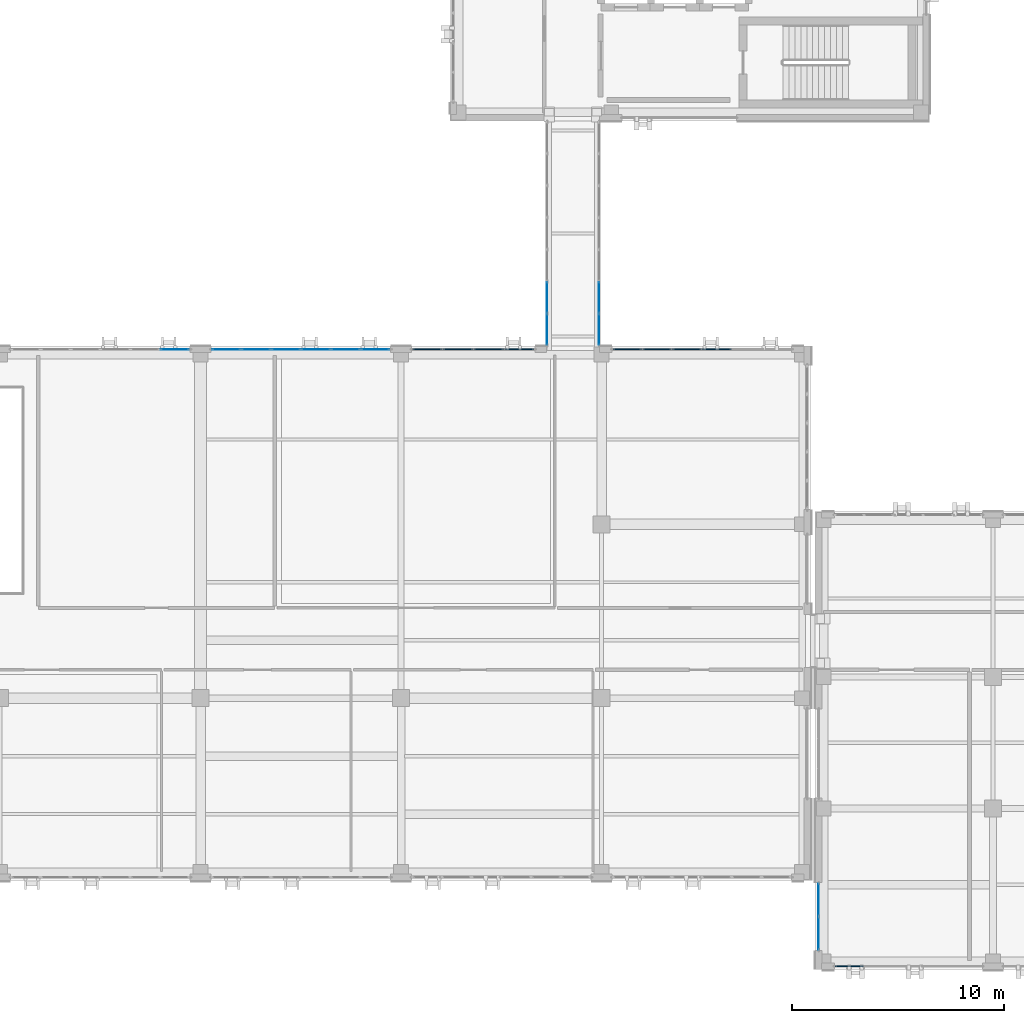
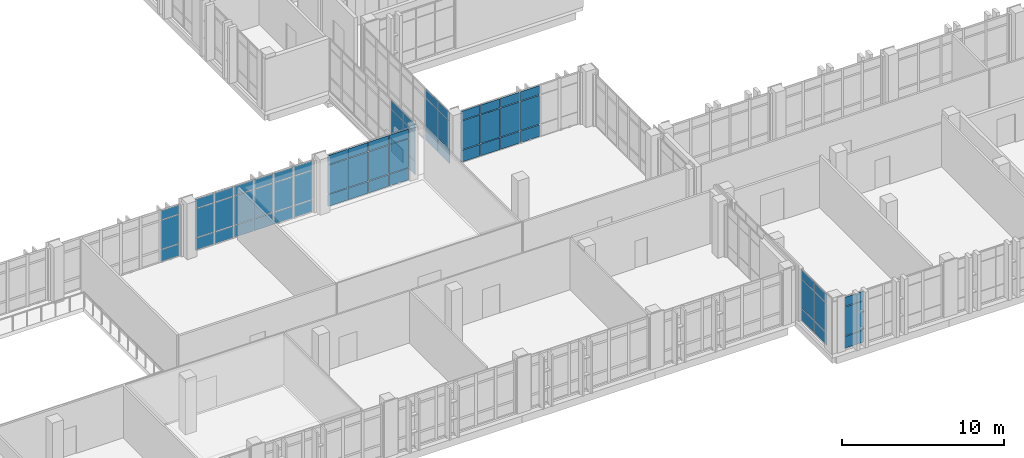
# One storey, part 137 of 193: 66 plates, 8 elements without a shape of their own.
"""IFC4 building model written with IfcOpenShell, lengths in metres."""

from ifc_helpers import new_model, si_unit, direction, frame, origin, origin_2d, place, context, subcontext, project, spatial, rectangle, extrude, material, layer, layer_set, type_object, element, aggregate, save


model = new_model("IFC4")

# Units and contexts
model_context = context("Model", 3, precision=1e-05, world=origin(), true_north=direction((0.0, 1.0)))
body_context = subcontext(model_context, "Body", "Model", "MODEL_VIEW")
ifc_project = project(units=[si_unit("LENGTHUNIT", "METRE"), si_unit("AREAUNIT", "SQUARE_METRE"), si_unit("VOLUMEUNIT", "CUBIC_METRE"), si_unit("PLANEANGLEUNIT", "RADIAN"), si_unit("MASSUNIT", "GRAM", prefix="KILO")], contexts=[model_context])

# Site, building, storey
site_placement = place(None, origin())
site = spatial("IfcSite", under=ifc_project, at=site_placement, CompositionType="ELEMENT")
building_placement = place(site_placement, origin())
building = spatial("IfcBuilding", under=site, at=building_placement, Name="Qalavern Law Courts", CompositionType="ELEMENT")
storey_placement = place(building_placement, frame((0.0, 0.0, 10.199951171875)))
storey = spatial("IfcBuildingStorey", under=building, at=storey_placement, Name="L02", CompositionType="ELEMENT", Elevation=10.199951171875)

# Curtain wall, plates
ifc_material_1 = material(Name="Anodised aluminium and insulated glazing", Category="aluminium")
ifc_layer_1 = layer(ifc_material_1, 0.18505859375)
ifc_layer_set_1 = layer_set([ifc_layer_1], Name="Anodised aluminium and insulated glazing")
curtain_wall_type_1 = type_object("IfcCurtainWallType", Name="ENV-CW-HALL", PredefinedType="USERDEFINED", material=ifc_layer_set_1)
curtain_wall_1_placement = place(storey_placement, origin())
curtain_wall_1 = element("IfcCurtainWall", 1, at=curtain_wall_1_placement, inside=storey, type_object=curtain_wall_type_1, Name="V2 unitised curtain wall L02 north 2", ObjectType="UNITISED CURTAIN WALL", PredefinedType="USERDEFINED")
ifc_material_2 = material(Name="Insulated low-E acoustic glazing", Category="glass")
ifc_layer_2 = layer(ifc_material_2, 0.02392578125)
ifc_layer_set_2 = layer_set([ifc_layer_2], Name="Insulated low-E acoustic glazing")
plate_type_1 = type_object("IfcPlateType", Name="ENV-CWP-24", PredefinedType="CURTAIN_PANEL", material=ifc_layer_set_2)
plate_1_placement = place(storey_placement, frame((80.6748046875, 30.2451171875, 0.048095703125), z_axis=(0.0, 0.0, 1.0), x_axis=(-1.0, 0.0, 0.0)))
plate_1 = element("IfcPlate", 2, at=plate_1_placement, type_object=plate_type_1, Name="CW-02 panel 1.1", PredefinedType="CURTAIN_PANEL", context=body_context, shape_type="SweptSolid", body=[
    extrude(rectangle(XDim=1.337158203125, YDim=0.02392578125, at=origin_2d()), origin(), (0.0, 0.0, 1.0), 0.8779296875),
])
plate_2_placement = place(storey_placement, frame((80.6748046875, 30.2451171875, 0.97412109375), z_axis=(0.0, 0.0, 1.0), x_axis=(-1.0, 0.0, 0.0)))
plate_2 = element("IfcPlate", 3, at=plate_2_placement, type_object=plate_type_1, Name="CW-02 panel 1.2", PredefinedType="CURTAIN_PANEL", context=body_context, shape_type="SweptSolid", body=[
    extrude(rectangle(XDim=1.337158203125, YDim=0.02392578125, at=origin_2d()), origin(), (0.0, 0.0, 1.0), 2.1669921875),
])
plate_3_placement = place(storey_placement, frame((80.6748046875, 30.2451171875, 3.18896484375), z_axis=(0.0, 0.0, 1.0), x_axis=(-1.0, 0.0, 0.0)))
plate_3 = element("IfcPlate", 4, at=plate_3_placement, type_object=plate_type_1, Name="CW-02 panel 1.3", PredefinedType="CURTAIN_PANEL", context=body_context, shape_type="SweptSolid", body=[
    extrude(rectangle(XDim=1.337158203125, YDim=0.02392578125, at=origin_2d()), origin(), (0.0, 0.0, 1.0), 0.677978515625),
])
plate_4_placement = place(storey_placement, frame((79.27783203125, 30.2451171875, 0.048095703125), z_axis=(0.0, 0.0, 1.0), x_axis=(-1.0, 0.0, 0.0)))
plate_4 = element("IfcPlate", 5, at=plate_4_placement, type_object=plate_type_1, Name="CW-02 panel 2.1", PredefinedType="CURTAIN_PANEL", context=body_context, shape_type="SweptSolid", body=[
    extrude(rectangle(XDim=1.361083984375, YDim=0.02392578125, at=origin_2d()), origin(), (0.0, 0.0, 1.0), 0.8779296875),
])
plate_5_placement = place(storey_placement, frame((79.27783203125, 30.2451171875, 0.97412109375), z_axis=(0.0, 0.0, 1.0), x_axis=(-1.0, 0.0, 0.0)))
plate_5 = element("IfcPlate", 6, at=plate_5_placement, type_object=plate_type_1, Name="CW-02 panel 2.2", PredefinedType="CURTAIN_PANEL", context=body_context, shape_type="SweptSolid", body=[
    extrude(rectangle(XDim=1.361083984375, YDim=0.02392578125, at=origin_2d()), origin(), (0.0, 0.0, 1.0), 2.1669921875),
])
plate_6_placement = place(storey_placement, frame((79.27783203125, 30.2451171875, 3.18896484375), z_axis=(0.0, 0.0, 1.0), x_axis=(-1.0, 0.0, 0.0)))
plate_6 = element("IfcPlate", 7, at=plate_6_placement, type_object=plate_type_1, Name="CW-02 panel 2.3", PredefinedType="CURTAIN_PANEL", context=body_context, shape_type="SweptSolid", body=[
    extrude(rectangle(XDim=1.361083984375, YDim=0.02392578125, at=origin_2d()), origin(), (0.0, 0.0, 1.0), 0.677978515625),
])
plate_7_placement = place(storey_placement, frame((77.868896484375, 30.2451171875, 0.048095703125), z_axis=(0.0, 0.0, 1.0), x_axis=(-1.0, 0.0, 0.0)))
plate_7 = element("IfcPlate", 8, at=plate_7_placement, type_object=plate_type_1, Name="CW-02 panel 3.1", PredefinedType="CURTAIN_PANEL", context=body_context, shape_type="SweptSolid", body=[
    extrude(rectangle(XDim=1.361083984375, YDim=0.02392578125, at=origin_2d()), origin(), (0.0, 0.0, 1.0), 0.8779296875),
])
plate_8_placement = place(storey_placement, frame((77.868896484375, 30.2451171875, 0.97412109375), z_axis=(0.0, 0.0, 1.0), x_axis=(-1.0, 0.0, 0.0)))
plate_8 = element("IfcPlate", 9, at=plate_8_placement, type_object=plate_type_1, Name="CW-02 panel 3.2", PredefinedType="CURTAIN_PANEL", context=body_context, shape_type="SweptSolid", body=[
    extrude(rectangle(XDim=1.361083984375, YDim=0.02392578125, at=origin_2d()), origin(), (0.0, 0.0, 1.0), 2.1669921875),
])
plate_9_placement = place(storey_placement, frame((77.868896484375, 30.2451171875, 3.18896484375), z_axis=(0.0, 0.0, 1.0), x_axis=(-1.0, 0.0, 0.0)))
plate_9 = element("IfcPlate", 10, at=plate_9_placement, type_object=plate_type_1, Name="CW-02 panel 3.3", PredefinedType="CURTAIN_PANEL", context=body_context, shape_type="SweptSolid", body=[
    extrude(rectangle(XDim=1.361083984375, YDim=0.02392578125, at=origin_2d()), origin(), (0.0, 0.0, 1.0), 0.677978515625),
])
plate_10_placement = place(storey_placement, frame((76.459716796875, 30.2451171875, 0.048095703125), z_axis=(0.0, 0.0, 1.0), x_axis=(-1.0, 0.0, 0.0)))
plate_10 = element("IfcPlate", 11, at=plate_10_placement, type_object=plate_type_1, Name="CW-02 panel 4.1", PredefinedType="CURTAIN_PANEL", context=body_context, shape_type="SweptSolid", body=[
    extrude(rectangle(XDim=1.361083984375, YDim=0.02392578125, at=origin_2d()), origin(), (0.0, 0.0, 1.0), 0.8779296875),
])
plate_11_placement = place(storey_placement, frame((76.459716796875, 30.2451171875, 0.97412109375), z_axis=(0.0, 0.0, 1.0), x_axis=(-1.0, 0.0, 0.0)))
plate_11 = element("IfcPlate", 12, at=plate_11_placement, type_object=plate_type_1, Name="CW-02 panel 4.2", PredefinedType="CURTAIN_PANEL", context=body_context, shape_type="SweptSolid", body=[
    extrude(rectangle(XDim=1.361083984375, YDim=0.02392578125, at=origin_2d()), origin(), (0.0, 0.0, 1.0), 2.1669921875),
])
plate_12_placement = place(storey_placement, frame((76.459716796875, 30.2451171875, 3.18896484375), z_axis=(0.0, 0.0, 1.0), x_axis=(-1.0, 0.0, 0.0)))
plate_12 = element("IfcPlate", 13, at=plate_12_placement, type_object=plate_type_1, Name="CW-02 panel 4.3", PredefinedType="CURTAIN_PANEL", context=body_context, shape_type="SweptSolid", body=[
    extrude(rectangle(XDim=1.361083984375, YDim=0.02392578125, at=origin_2d()), origin(), (0.0, 0.0, 1.0), 0.677978515625),
])
plate_13_placement = place(storey_placement, frame((75.05078125, 30.2451171875, 0.048095703125), z_axis=(0.0, 0.0, 1.0), x_axis=(-1.0, 0.0, 0.0)))
plate_13 = element("IfcPlate", 14, at=plate_13_placement, type_object=plate_type_1, Name="CW-02 panel 5.1", PredefinedType="CURTAIN_PANEL", context=body_context, shape_type="SweptSolid", body=[
    extrude(rectangle(XDim=1.361083984375, YDim=0.02392578125, at=origin_2d()), origin(), (0.0, 0.0, 1.0), 0.8779296875),
])
plate_14_placement = place(storey_placement, frame((75.05078125, 30.2451171875, 0.97412109375), z_axis=(0.0, 0.0, 1.0), x_axis=(-1.0, 0.0, 0.0)))
plate_14 = element("IfcPlate", 15, at=plate_14_placement, type_object=plate_type_1, Name="CW-02 panel 5.2", PredefinedType="CURTAIN_PANEL", context=body_context, shape_type="SweptSolid", body=[
    extrude(rectangle(XDim=1.361083984375, YDim=0.02392578125, at=origin_2d()), origin(), (0.0, 0.0, 1.0), 2.1669921875),
])
plate_15_placement = place(storey_placement, frame((75.05078125, 30.2451171875, 3.18896484375), z_axis=(0.0, 0.0, 1.0), x_axis=(-1.0, 0.0, 0.0)))
plate_15 = element("IfcPlate", 16, at=plate_15_placement, type_object=plate_type_1, Name="CW-02 panel 5.3", PredefinedType="CURTAIN_PANEL", context=body_context, shape_type="SweptSolid", body=[
    extrude(rectangle(XDim=1.361083984375, YDim=0.02392578125, at=origin_2d()), origin(), (0.0, 0.0, 1.0), 0.677978515625),
])
plate_16_placement = place(storey_placement, frame((73.653564453125, 30.2451171875, 0.048095703125), z_axis=(0.0, 0.0, 1.0), x_axis=(-1.0, 0.0, 0.0)))
plate_16 = element("IfcPlate", 17, at=plate_16_placement, type_object=plate_type_1, Name="CW-02 panel 6.1", PredefinedType="CURTAIN_PANEL", context=body_context, shape_type="SweptSolid", body=[
    extrude(rectangle(XDim=1.337158203125, YDim=0.02392578125, at=origin_2d()), origin(), (0.0, 0.0, 1.0), 0.8779296875),
])
plate_17_placement = place(storey_placement, frame((73.653564453125, 30.2451171875, 0.97412109375), z_axis=(0.0, 0.0, 1.0), x_axis=(-1.0, 0.0, 0.0)))
plate_17 = element("IfcPlate", 18, at=plate_17_placement, type_object=plate_type_1, Name="CW-02 panel 6.2", PredefinedType="CURTAIN_PANEL", context=body_context, shape_type="SweptSolid", body=[
    extrude(rectangle(XDim=1.337158203125, YDim=0.02392578125, at=origin_2d()), origin(), (0.0, 0.0, 1.0), 2.1669921875),
])
plate_18_placement = place(storey_placement, frame((73.653564453125, 30.2451171875, 3.18896484375), z_axis=(0.0, 0.0, 1.0), x_axis=(-1.0, 0.0, 0.0)))
plate_18 = element("IfcPlate", 19, at=plate_18_placement, type_object=plate_type_1, Name="CW-02 panel 6.3", PredefinedType="CURTAIN_PANEL", context=body_context, shape_type="SweptSolid", body=[
    extrude(rectangle(XDim=1.337158203125, YDim=0.02392578125, at=origin_2d()), origin(), (0.0, 0.0, 1.0), 0.677978515625),
])
aggregate(curtain_wall_1, [plate_1, plate_2, plate_3, plate_4, plate_5, plate_6, plate_7, plate_8, plate_9, plate_10, plate_11, plate_12, plate_13, plate_14, plate_15, plate_16, plate_17, plate_18])

ifc_layer_3 = layer(ifc_material_1, 0.172119140625)
ifc_layer_set_3 = layer_set([ifc_layer_3], Name="Anodised aluminium and insulated glazing")
curtain_wall_type_2 = type_object("IfcCurtainWallType", Name="ENV-CW-COURT", PredefinedType="USERDEFINED", material=ifc_layer_set_3)
curtain_wall_2_placement = place(storey_placement, origin())
curtain_wall_2 = element("IfcCurtainWall", 20, at=curtain_wall_2_placement, inside=storey, type_object=curtain_wall_type_2, Name="V6 unitised curtain wall L02 west 2", ObjectType="UNITISED CURTAIN WALL", PredefinedType="USERDEFINED")
plate_19_placement = place(storey_placement, frame((101.574951171875, 4.2880859375, 0.048095703125), z_axis=(0.0, 0.0, 1.0), x_axis=(0.0, -1.0, 0.0)))
plate_19 = element("IfcPlate", 21, at=plate_19_placement, type_object=plate_type_1, Name="CW-03 panel 1.1", PredefinedType="CURTAIN_PANEL", context=body_context, shape_type="SweptSolid", body=[
    extrude(rectangle(XDim=1.528076171875, YDim=0.02392578125, at=origin_2d()), origin(), (0.0, 0.0, 1.0), 0.8779296875),
])
plate_20_placement = place(storey_placement, frame((101.574951171875, 4.2880859375, 0.97412109375), z_axis=(0.0, 0.0, 1.0), x_axis=(0.0, -1.0, 0.0)))
plate_20 = element("IfcPlate", 22, at=plate_20_placement, type_object=plate_type_1, Name="CW-03 panel 1.2", PredefinedType="CURTAIN_PANEL", context=body_context, shape_type="SweptSolid", body=[
    extrude(rectangle(XDim=1.528076171875, YDim=0.02392578125, at=origin_2d()), origin(), (0.0, 0.0, 1.0), 2.1669921875),
])
plate_21_placement = place(storey_placement, frame((101.574951171875, 4.2880859375, 3.18896484375), z_axis=(0.0, 0.0, 1.0), x_axis=(0.0, -1.0, 0.0)))
plate_21 = element("IfcPlate", 23, at=plate_21_placement, type_object=plate_type_1, Name="CW-03 panel 1.3", PredefinedType="CURTAIN_PANEL", context=body_context, shape_type="SweptSolid", body=[
    extrude(rectangle(XDim=1.528076171875, YDim=0.02392578125, at=origin_2d()), origin(), (0.0, 0.0, 1.0), 0.677978515625),
])
plate_22_placement = place(storey_placement, frame((101.574951171875, 2.7119140625, 0.048095703125), z_axis=(0.0, 0.0, 1.0), x_axis=(0.0, -1.0, 0.0)))
plate_22 = element("IfcPlate", 24, at=plate_22_placement, type_object=plate_type_1, Name="CW-03 panel 2.1", PredefinedType="CURTAIN_PANEL", context=body_context, shape_type="SweptSolid", body=[
    extrude(rectangle(XDim=1.528076171875, YDim=0.02392578125, at=origin_2d()), origin(), (0.0, 0.0, 1.0), 0.8779296875),
])
plate_23_placement = place(storey_placement, frame((101.574951171875, 2.7119140625, 0.97412109375), z_axis=(0.0, 0.0, 1.0), x_axis=(0.0, -1.0, 0.0)))
plate_23 = element("IfcPlate", 25, at=plate_23_placement, type_object=plate_type_1, Name="CW-03 panel 2.2", PredefinedType="CURTAIN_PANEL", context=body_context, shape_type="SweptSolid", body=[
    extrude(rectangle(XDim=1.528076171875, YDim=0.02392578125, at=origin_2d()), origin(), (0.0, 0.0, 1.0), 2.1669921875),
])
plate_24_placement = place(storey_placement, frame((101.574951171875, 2.7119140625, 3.18896484375), z_axis=(0.0, 0.0, 1.0), x_axis=(0.0, -1.0, 0.0)))
plate_24 = element("IfcPlate", 26, at=plate_24_placement, type_object=plate_type_1, Name="CW-03 panel 2.3", PredefinedType="CURTAIN_PANEL", context=body_context, shape_type="SweptSolid", body=[
    extrude(rectangle(XDim=1.528076171875, YDim=0.02392578125, at=origin_2d()), origin(), (0.0, 0.0, 1.0), 0.677978515625),
])
aggregate(curtain_wall_2, [plate_19, plate_20, plate_21, plate_22, plate_23, plate_24])

curtain_wall_3_placement = place(storey_placement, origin())
curtain_wall_3 = element("IfcCurtainWall", 27, at=curtain_wall_3_placement, inside=storey, type_object=curtain_wall_type_1, Name="V2 unitised curtain wall L02 north 3", ObjectType="UNITISED CURTAIN WALL", PredefinedType="USERDEFINED")
ifc_layer_4 = layer(ifc_material_2, 0.028076171875)
ifc_layer_set_4 = layer_set([ifc_layer_4], Name="Insulated low-E acoustic glazing")
plate_type_2 = type_object("IfcPlateType", Name="ENV-CWP-28", PredefinedType="CURTAIN_PANEL", material=ifc_layer_set_4)
plate_25_placement = place(storey_placement, frame((71.220703125, 30.2451171875, 0.048095703125), z_axis=(0.0, 0.0, 1.0), x_axis=(-1.0, 0.0, 0.0)))
plate_25 = element("IfcPlate", 28, at=plate_25_placement, type_object=plate_type_2, Name="CW-02 panel 1.1", PredefinedType="CURTAIN_PANEL", context=body_context, shape_type="SweptSolid", body=[
    extrude(rectangle(XDim=1.3369140625, YDim=0.028076171875, at=origin_2d()), origin(), (0.0, 0.0, 1.0), 0.8779296875),
])
plate_26_placement = place(storey_placement, frame((71.220703125, 30.2451171875, 0.97412109375), z_axis=(0.0, 0.0, 1.0), x_axis=(-1.0, 0.0, 0.0)))
plate_26 = element("IfcPlate", 29, at=plate_26_placement, type_object=plate_type_2, Name="CW-02 panel 1.2", PredefinedType="CURTAIN_PANEL", context=body_context, shape_type="SweptSolid", body=[
    extrude(rectangle(XDim=1.3369140625, YDim=0.028076171875, at=origin_2d()), origin(), (0.0, 0.0, 1.0), 2.1669921875),
])
plate_27_placement = place(storey_placement, frame((71.220703125, 30.2451171875, 3.18896484375), z_axis=(0.0, 0.0, 1.0), x_axis=(-1.0, 0.0, 0.0)))
plate_27 = element("IfcPlate", 30, at=plate_27_placement, type_object=plate_type_2, Name="CW-02 panel 1.3", PredefinedType="CURTAIN_PANEL", context=body_context, shape_type="SweptSolid", body=[
    extrude(rectangle(XDim=1.3369140625, YDim=0.028076171875, at=origin_2d()), origin(), (0.0, 0.0, 1.0), 0.677978515625),
])
aggregate(curtain_wall_3, [plate_25, plate_26, plate_27])

ifc_layer_5 = layer(ifc_material_1, 0.14990234375)
ifc_layer_set_5 = layer_set([ifc_layer_5], Name="Anodised aluminium and insulated glazing")
curtain_wall_type_3 = type_object("IfcCurtainWallType", Name="ENV-CW-BRG", PredefinedType="USERDEFINED", material=ifc_layer_set_5)
curtain_wall_4_placement = place(storey_placement, origin())
curtain_wall_4 = element("IfcCurtainWall", 31, at=curtain_wall_4_placement, inside=storey, type_object=curtain_wall_type_3, Name="Bridge BR-V2-V4 glazed curtain wall L02-1", ObjectType="UNITISED CURTAIN WALL", PredefinedType="USERDEFINED")
ifc_layer_6 = layer(ifc_material_2, 0.031982421875)
ifc_layer_set_6 = layer_set([ifc_layer_6], Name="Insulated low-E acoustic glazing")
plate_type_3 = type_object("IfcPlateType", Name="ENV-CWP-32", PredefinedType="CURTAIN_PANEL", material=ifc_layer_set_6)
plate_28_placement = place(storey_placement, frame((88.77490234375, 32.687255859375, 0.048095703125), z_axis=(0.0, 0.0, 1.0), x_axis=(0.0, -1.0, 0.0)))
plate_28 = element("IfcPlate", 32, at=plate_28_placement, type_object=plate_type_3, Name="CW-06 panel 6.1", PredefinedType="CURTAIN_PANEL", context=body_context, shape_type="SweptSolid", body=[
    extrude(rectangle(XDim=1.46337890625, YDim=0.031982421875, at=origin_2d()), origin(), (0.0, 0.0, 1.0), 0.97802734375),
])
plate_29_placement = place(storey_placement, frame((88.77490234375, 32.687255859375, 1.07421875), z_axis=(0.0, 0.0, 1.0), x_axis=(0.0, -1.0, 0.0)))
plate_29 = element("IfcPlate", 33, at=plate_29_placement, type_object=plate_type_3, Name="CW-06 panel 6.2", PredefinedType="CURTAIN_PANEL", context=body_context, shape_type="SweptSolid", body=[
    extrude(rectangle(XDim=1.46337890625, YDim=0.031982421875, at=origin_2d()), origin(), (0.0, 0.0, 1.0), 2.116943359375),
])
plate_30_placement = place(storey_placement, frame((88.77490234375, 32.687255859375, 3.239013671875), z_axis=(0.0, 0.0, 1.0), x_axis=(0.0, -1.0, 0.0)))
plate_30 = element("IfcPlate", 34, at=plate_30_placement, type_object=plate_type_3, Name="CW-06 panel 6.3", PredefinedType="CURTAIN_PANEL", context=body_context, shape_type="SweptSolid", body=[
    extrude(rectangle(XDim=1.46337890625, YDim=0.031982421875, at=origin_2d()), origin(), (0.0, 0.0, 1.0), 0.6279296875),
])
plate_31_placement = place(storey_placement, frame((88.77490234375, 31.187744140625, 0.048095703125), z_axis=(0.0, 0.0, 1.0), x_axis=(0.0, -1.0, 0.0)))
plate_31 = element("IfcPlate", 35, at=plate_31_placement, type_object=plate_type_3, Name="CW-06 panel 7.1", PredefinedType="CURTAIN_PANEL", context=body_context, shape_type="SweptSolid", body=[
    extrude(rectangle(XDim=1.439453125, YDim=0.031982421875, at=origin_2d()), origin(), (0.0, 0.0, 1.0), 0.97802734375),
])
plate_32_placement = place(storey_placement, frame((88.77490234375, 31.187744140625, 1.07421875), z_axis=(0.0, 0.0, 1.0), x_axis=(0.0, -1.0, 0.0)))
plate_32 = element("IfcPlate", 36, at=plate_32_placement, type_object=plate_type_3, Name="CW-06 panel 7.2", PredefinedType="CURTAIN_PANEL", context=body_context, shape_type="SweptSolid", body=[
    extrude(rectangle(XDim=1.439453125, YDim=0.031982421875, at=origin_2d()), origin(), (0.0, 0.0, 1.0), 2.116943359375),
])
plate_33_placement = place(storey_placement, frame((88.77490234375, 31.187744140625, 3.239013671875), z_axis=(0.0, 0.0, 1.0), x_axis=(0.0, -1.0, 0.0)))
plate_33 = element("IfcPlate", 37, at=plate_33_placement, type_object=plate_type_3, Name="CW-06 panel 7.3", PredefinedType="CURTAIN_PANEL", context=body_context, shape_type="SweptSolid", body=[
    extrude(rectangle(XDim=1.439453125, YDim=0.031982421875, at=origin_2d()), origin(), (0.0, 0.0, 1.0), 0.6279296875),
])
aggregate(curtain_wall_4, [plate_28, plate_29, plate_30, plate_31, plate_32, plate_33])

curtain_wall_5_placement = place(storey_placement, origin())
curtain_wall_5 = element("IfcCurtainWall", 38, at=curtain_wall_5_placement, inside=storey, type_object=curtain_wall_type_3, Name="Bridge BR-V2-V4 glazed curtain wall L02-2", ObjectType="UNITISED CURTAIN WALL", PredefinedType="USERDEFINED")
plate_34_placement = place(storey_placement, frame((91.22509765625, 31.187744140625, 0.048095703125), z_axis=(0.0, 0.0, 1.0), x_axis=(0.0, 1.0, 0.0)))
plate_34 = element("IfcPlate", 39, at=plate_34_placement, type_object=plate_type_3, Name="CW-06 panel 1.1", PredefinedType="CURTAIN_PANEL", context=body_context, shape_type="SweptSolid", body=[
    extrude(rectangle(XDim=1.439453125, YDim=0.031982421875, at=origin_2d()), origin(), (0.0, 0.0, 1.0), 0.97802734375),
])
plate_35_placement = place(storey_placement, frame((91.22509765625, 31.187744140625, 1.07421875), z_axis=(0.0, 0.0, 1.0), x_axis=(0.0, 1.0, 0.0)))
plate_35 = element("IfcPlate", 40, at=plate_35_placement, type_object=plate_type_3, Name="CW-06 panel 1.2", PredefinedType="CURTAIN_PANEL", context=body_context, shape_type="SweptSolid", body=[
    extrude(rectangle(XDim=1.439453125, YDim=0.031982421875, at=origin_2d()), origin(), (0.0, 0.0, 1.0), 2.116943359375),
])
plate_36_placement = place(storey_placement, frame((91.22509765625, 31.187744140625, 3.239013671875), z_axis=(0.0, 0.0, 1.0), x_axis=(0.0, 1.0, 0.0)))
plate_36 = element("IfcPlate", 41, at=plate_36_placement, type_object=plate_type_3, Name="CW-06 panel 1.3", PredefinedType="CURTAIN_PANEL", context=body_context, shape_type="SweptSolid", body=[
    extrude(rectangle(XDim=1.439453125, YDim=0.031982421875, at=origin_2d()), origin(), (0.0, 0.0, 1.0), 0.6279296875),
])
plate_37_placement = place(storey_placement, frame((91.22509765625, 32.687255859375, 0.048095703125), z_axis=(0.0, 0.0, 1.0), x_axis=(0.0, 1.0, 0.0)))
plate_37 = element("IfcPlate", 42, at=plate_37_placement, type_object=plate_type_3, Name="CW-06 panel 2.1", PredefinedType="CURTAIN_PANEL", context=body_context, shape_type="SweptSolid", body=[
    extrude(rectangle(XDim=1.46337890625, YDim=0.031982421875, at=origin_2d()), origin(), (0.0, 0.0, 1.0), 0.97802734375),
])
plate_38_placement = place(storey_placement, frame((91.22509765625, 32.687255859375, 1.07421875), z_axis=(0.0, 0.0, 1.0), x_axis=(0.0, 1.0, 0.0)))
plate_38 = element("IfcPlate", 43, at=plate_38_placement, type_object=plate_type_3, Name="CW-06 panel 2.2", PredefinedType="CURTAIN_PANEL", context=body_context, shape_type="SweptSolid", body=[
    extrude(rectangle(XDim=1.46337890625, YDim=0.031982421875, at=origin_2d()), origin(), (0.0, 0.0, 1.0), 2.116943359375),
])
plate_39_placement = place(storey_placement, frame((91.22509765625, 32.687255859375, 3.239013671875), z_axis=(0.0, 0.0, 1.0), x_axis=(0.0, 1.0, 0.0)))
plate_39 = element("IfcPlate", 44, at=plate_39_placement, type_object=plate_type_3, Name="CW-06 panel 2.3", PredefinedType="CURTAIN_PANEL", context=body_context, shape_type="SweptSolid", body=[
    extrude(rectangle(XDim=1.46337890625, YDim=0.031982421875, at=origin_2d()), origin(), (0.0, 0.0, 1.0), 0.6279296875),
])
aggregate(curtain_wall_5, [plate_34, plate_35, plate_36, plate_37, plate_38, plate_39])

curtain_wall_6_placement = place(storey_placement, origin())
curtain_wall_6 = element("IfcCurtainWall", 45, at=curtain_wall_6_placement, inside=storey, type_object=curtain_wall_type_1, Name="V2 unitised curtain wall L02 north 1", ObjectType="UNITISED CURTAIN WALL", PredefinedType="USERDEFINED")
ifc_layer_7 = layer(ifc_material_2, 0.048095703125)
ifc_layer_set_7 = layer_set([ifc_layer_7], Name="Insulated low-E acoustic glazing")
plate_type_4 = type_object("IfcPlateType", Name="ENV-CWP-48", PredefinedType="CURTAIN_PANEL", material=ifc_layer_set_7)
plate_40_placement = place(storey_placement, frame((96.77734375, 30.2451171875, 0.048095703125), z_axis=(0.0, 0.0, 1.0), x_axis=(-1.0, 0.0, 0.0)))
plate_40 = element("IfcPlate", 46, at=plate_40_placement, type_object=plate_type_4, Name="CW-02 panel 3.1", PredefinedType="CURTAIN_PANEL", context=body_context, shape_type="SweptSolid", body=[
    extrude(rectangle(XDim=1.361083984375, YDim=0.048095703125, at=origin_2d()), origin(), (0.0, 0.0, 1.0), 0.8779296875),
])
plate_41_placement = place(storey_placement, frame((96.77734375, 30.2451171875, 0.97412109375), z_axis=(0.0, 0.0, 1.0), x_axis=(-1.0, 0.0, 0.0)))
plate_41 = element("IfcPlate", 47, at=plate_41_placement, type_object=plate_type_4, Name="CW-02 panel 3.2", PredefinedType="CURTAIN_PANEL", context=body_context, shape_type="SweptSolid", body=[
    extrude(rectangle(XDim=1.361083984375, YDim=0.048095703125, at=origin_2d()), origin(), (0.0, 0.0, 1.0), 2.1669921875),
])
plate_42_placement = place(storey_placement, frame((96.77734375, 30.2451171875, 3.18896484375), z_axis=(0.0, 0.0, 1.0), x_axis=(-1.0, 0.0, 0.0)))
plate_42 = element("IfcPlate", 48, at=plate_42_placement, type_object=plate_type_4, Name="CW-02 panel 3.3", PredefinedType="CURTAIN_PANEL", context=body_context, shape_type="SweptSolid", body=[
    extrude(rectangle(XDim=1.361083984375, YDim=0.048095703125, at=origin_2d()), origin(), (0.0, 0.0, 1.0), 0.677978515625),
])
plate_43_placement = place(storey_placement, frame((95.368408203125, 30.2451171875, 0.048095703125), z_axis=(0.0, 0.0, 1.0), x_axis=(-1.0, 0.0, 0.0)))
plate_43 = element("IfcPlate", 49, at=plate_43_placement, type_object=plate_type_4, Name="CW-02 panel 4.1", PredefinedType="CURTAIN_PANEL", context=body_context, shape_type="SweptSolid", body=[
    extrude(rectangle(XDim=1.361083984375, YDim=0.048095703125, at=origin_2d()), origin(), (0.0, 0.0, 1.0), 0.8779296875),
])
plate_44_placement = place(storey_placement, frame((95.368408203125, 30.2451171875, 0.97412109375), z_axis=(0.0, 0.0, 1.0), x_axis=(-1.0, 0.0, 0.0)))
plate_44 = element("IfcPlate", 50, at=plate_44_placement, type_object=plate_type_4, Name="CW-02 panel 4.2", PredefinedType="CURTAIN_PANEL", context=body_context, shape_type="SweptSolid", body=[
    extrude(rectangle(XDim=1.361083984375, YDim=0.048095703125, at=origin_2d()), origin(), (0.0, 0.0, 1.0), 2.1669921875),
])
plate_45_placement = place(storey_placement, frame((95.368408203125, 30.2451171875, 3.18896484375), z_axis=(0.0, 0.0, 1.0), x_axis=(-1.0, 0.0, 0.0)))
plate_45 = element("IfcPlate", 51, at=plate_45_placement, type_object=plate_type_4, Name="CW-02 panel 4.3", PredefinedType="CURTAIN_PANEL", context=body_context, shape_type="SweptSolid", body=[
    extrude(rectangle(XDim=1.361083984375, YDim=0.048095703125, at=origin_2d()), origin(), (0.0, 0.0, 1.0), 0.677978515625),
])
plate_46_placement = place(storey_placement, frame((93.959228515625, 30.2451171875, 0.048095703125), z_axis=(0.0, 0.0, 1.0), x_axis=(-1.0, 0.0, 0.0)))
plate_46 = element("IfcPlate", 52, at=plate_46_placement, type_object=plate_type_4, Name="CW-02 panel 5.1", PredefinedType="CURTAIN_PANEL", context=body_context, shape_type="SweptSolid", body=[
    extrude(rectangle(XDim=1.361083984375, YDim=0.048095703125, at=origin_2d()), origin(), (0.0, 0.0, 1.0), 0.8779296875),
])
plate_47_placement = place(storey_placement, frame((93.959228515625, 30.2451171875, 0.97412109375), z_axis=(0.0, 0.0, 1.0), x_axis=(-1.0, 0.0, 0.0)))
plate_47 = element("IfcPlate", 53, at=plate_47_placement, type_object=plate_type_4, Name="CW-02 panel 5.2", PredefinedType="CURTAIN_PANEL", context=body_context, shape_type="SweptSolid", body=[
    extrude(rectangle(XDim=1.361083984375, YDim=0.048095703125, at=origin_2d()), origin(), (0.0, 0.0, 1.0), 2.1669921875),
])
plate_48_placement = place(storey_placement, frame((93.959228515625, 30.2451171875, 3.18896484375), z_axis=(0.0, 0.0, 1.0), x_axis=(-1.0, 0.0, 0.0)))
plate_48 = element("IfcPlate", 54, at=plate_48_placement, type_object=plate_type_4, Name="CW-02 panel 5.3", PredefinedType="CURTAIN_PANEL", context=body_context, shape_type="SweptSolid", body=[
    extrude(rectangle(XDim=1.361083984375, YDim=0.048095703125, at=origin_2d()), origin(), (0.0, 0.0, 1.0), 0.677978515625),
])
plate_49_placement = place(storey_placement, frame((92.562255859375, 30.2451171875, 0.048095703125), z_axis=(0.0, 0.0, 1.0), x_axis=(-1.0, 0.0, 0.0)))
plate_49 = element("IfcPlate", 55, at=plate_49_placement, type_object=plate_type_4, Name="CW-02 panel 6.1", PredefinedType="CURTAIN_PANEL", context=body_context, shape_type="SweptSolid", body=[
    extrude(rectangle(XDim=1.337158203125, YDim=0.048095703125, at=origin_2d()), origin(), (0.0, 0.0, 1.0), 0.8779296875),
])
plate_50_placement = place(storey_placement, frame((92.562255859375, 30.2451171875, 0.97412109375), z_axis=(0.0, 0.0, 1.0), x_axis=(-1.0, 0.0, 0.0)))
plate_50 = element("IfcPlate", 56, at=plate_50_placement, type_object=plate_type_4, Name="CW-02 panel 6.2", PredefinedType="CURTAIN_PANEL", context=body_context, shape_type="SweptSolid", body=[
    extrude(rectangle(XDim=1.337158203125, YDim=0.048095703125, at=origin_2d()), origin(), (0.0, 0.0, 1.0), 2.1669921875),
])
plate_51_placement = place(storey_placement, frame((92.562255859375, 30.2451171875, 3.18896484375), z_axis=(0.0, 0.0, 1.0), x_axis=(-1.0, 0.0, 0.0)))
plate_51 = element("IfcPlate", 57, at=plate_51_placement, type_object=plate_type_4, Name="CW-02 panel 6.3", PredefinedType="CURTAIN_PANEL", context=body_context, shape_type="SweptSolid", body=[
    extrude(rectangle(XDim=1.337158203125, YDim=0.048095703125, at=origin_2d()), origin(), (0.0, 0.0, 1.0), 0.677978515625),
])
aggregate(curtain_wall_6, [plate_40, plate_41, plate_42, plate_43, plate_44, plate_45, plate_46, plate_47, plate_48, plate_49, plate_50, plate_51])

curtain_wall_7_placement = place(storey_placement, origin())
curtain_wall_7 = element("IfcCurtainWall", 58, at=curtain_wall_7_placement, inside=storey, type_object=curtain_wall_type_2, Name="V6 unitised curtain wall L02 south 1", ObjectType="UNITISED CURTAIN WALL", PredefinedType="USERDEFINED")
plate_52_placement = place(storey_placement, frame((103.030029296875, 1.155029296875, 0.048095703125), z_axis=(0.0, 0.0, 1.0), x_axis=(1.0, 0.0, 0.0)))
plate_52 = element("IfcPlate", 59, at=plate_52_placement, type_object=plate_type_4, Name="CW-03 panel 1.1", PredefinedType="CURTAIN_PANEL", context=body_context, shape_type="SweptSolid", body=[
    extrude(rectangle(XDim=1.323974609375, YDim=0.048095703125, at=origin_2d()), origin(), (0.0, 0.0, 1.0), 0.8779296875),
])
plate_53_placement = place(storey_placement, frame((103.030029296875, 1.155029296875, 0.97412109375), z_axis=(0.0, 0.0, 1.0), x_axis=(1.0, 0.0, 0.0)))
plate_53 = element("IfcPlate", 60, at=plate_53_placement, type_object=plate_type_4, Name="CW-03 panel 1.2", PredefinedType="CURTAIN_PANEL", context=body_context, shape_type="SweptSolid", body=[
    extrude(rectangle(XDim=1.323974609375, YDim=0.048095703125, at=origin_2d()), origin(), (0.0, 0.0, 1.0), 2.1669921875),
])
plate_54_placement = place(storey_placement, frame((103.030029296875, 1.155029296875, 3.18896484375), z_axis=(0.0, 0.0, 1.0), x_axis=(1.0, 0.0, 0.0)))
plate_54 = element("IfcPlate", 61, at=plate_54_placement, type_object=plate_type_4, Name="CW-03 panel 1.3", PredefinedType="CURTAIN_PANEL", context=body_context, shape_type="SweptSolid", body=[
    extrude(rectangle(XDim=1.323974609375, YDim=0.048095703125, at=origin_2d()), origin(), (0.0, 0.0, 1.0), 0.677978515625),
])
aggregate(curtain_wall_7, [plate_52, plate_53, plate_54])

curtain_wall_8_placement = place(storey_placement, origin())
curtain_wall_8 = element("IfcCurtainWall", 62, at=curtain_wall_8_placement, inside=storey, type_object=curtain_wall_type_1, Name="V2 unitised curtain wall L02 north 1", ObjectType="UNITISED CURTAIN WALL", PredefinedType="USERDEFINED")
ifc_layer_8 = layer(ifc_material_2, 0.052001953125)
ifc_layer_set_8 = layer_set([ifc_layer_8], Name="Insulated low-E acoustic glazing")
plate_type_5 = type_object("IfcPlateType", Name="ENV-CWP-52", PredefinedType="CURTAIN_PANEL", material=ifc_layer_set_8)
plate_55_placement = place(storey_placement, frame((87.4619140625, 30.2451171875, 0.048095703125), z_axis=(0.0, 0.0, 1.0), x_axis=(-1.0, 0.0, 0.0)))
plate_55 = element("IfcPlate", 63, at=plate_55_placement, type_object=plate_type_5, Name="CW-02 panel 1.1", PredefinedType="CURTAIN_PANEL", context=body_context, shape_type="SweptSolid", body=[
    extrude(rectangle(XDim=1.380126953125, YDim=0.052001953125, at=origin_2d()), origin(), (0.0, 0.0, 1.0), 0.8779296875),
])
plate_56_placement = place(storey_placement, frame((87.4619140625, 30.2451171875, 0.97412109375), z_axis=(0.0, 0.0, 1.0), x_axis=(-1.0, 0.0, 0.0)))
plate_56 = element("IfcPlate", 64, at=plate_56_placement, type_object=plate_type_5, Name="CW-02 panel 1.2", PredefinedType="CURTAIN_PANEL", context=body_context, shape_type="SweptSolid", body=[
    extrude(rectangle(XDim=1.380126953125, YDim=0.052001953125, at=origin_2d()), origin(), (0.0, 0.0, 1.0), 2.1669921875),
])
plate_57_placement = place(storey_placement, frame((87.4619140625, 30.2451171875, 3.18896484375), z_axis=(0.0, 0.0, 1.0), x_axis=(-1.0, 0.0, 0.0)))
plate_57 = element("IfcPlate", 65, at=plate_57_placement, type_object=plate_type_5, Name="CW-02 panel 1.3", PredefinedType="CURTAIN_PANEL", context=body_context, shape_type="SweptSolid", body=[
    extrude(rectangle(XDim=1.380126953125, YDim=0.052001953125, at=origin_2d()), origin(), (0.0, 0.0, 1.0), 0.677978515625),
])
plate_58_placement = place(storey_placement, frame((86.021728515625, 30.2451171875, 0.048095703125), z_axis=(0.0, 0.0, 1.0), x_axis=(-1.0, 0.0, 0.0)))
plate_58 = element("IfcPlate", 66, at=plate_58_placement, type_object=plate_type_5, Name="CW-02 panel 2.1", PredefinedType="CURTAIN_PANEL", context=body_context, shape_type="SweptSolid", body=[
    extrude(rectangle(XDim=1.404052734375, YDim=0.052001953125, at=origin_2d()), origin(), (0.0, 0.0, 1.0), 0.8779296875),
])
plate_59_placement = place(storey_placement, frame((86.021728515625, 30.2451171875, 0.97412109375), z_axis=(0.0, 0.0, 1.0), x_axis=(-1.0, 0.0, 0.0)))
plate_59 = element("IfcPlate", 67, at=plate_59_placement, type_object=plate_type_5, Name="CW-02 panel 2.2", PredefinedType="CURTAIN_PANEL", context=body_context, shape_type="SweptSolid", body=[
    extrude(rectangle(XDim=1.404052734375, YDim=0.052001953125, at=origin_2d()), origin(), (0.0, 0.0, 1.0), 2.1669921875),
])
plate_60_placement = place(storey_placement, frame((86.021728515625, 30.2451171875, 3.18896484375), z_axis=(0.0, 0.0, 1.0), x_axis=(-1.0, 0.0, 0.0)))
plate_60 = element("IfcPlate", 68, at=plate_60_placement, type_object=plate_type_5, Name="CW-02 panel 2.3", PredefinedType="CURTAIN_PANEL", context=body_context, shape_type="SweptSolid", body=[
    extrude(rectangle(XDim=1.404052734375, YDim=0.052001953125, at=origin_2d()), origin(), (0.0, 0.0, 1.0), 0.677978515625),
])
plate_61_placement = place(storey_placement, frame((84.569580078125, 30.2451171875, 0.048095703125), z_axis=(0.0, 0.0, 1.0), x_axis=(-1.0, 0.0, 0.0)))
plate_61 = element("IfcPlate", 69, at=plate_61_placement, type_object=plate_type_5, Name="CW-02 panel 3.1", PredefinedType="CURTAIN_PANEL", context=body_context, shape_type="SweptSolid", body=[
    extrude(rectangle(XDim=1.404052734375, YDim=0.052001953125, at=origin_2d()), origin(), (0.0, 0.0, 1.0), 0.8779296875),
])
plate_62_placement = place(storey_placement, frame((84.569580078125, 30.2451171875, 0.97412109375), z_axis=(0.0, 0.0, 1.0), x_axis=(-1.0, 0.0, 0.0)))
plate_62 = element("IfcPlate", 70, at=plate_62_placement, type_object=plate_type_5, Name="CW-02 panel 3.2", PredefinedType="CURTAIN_PANEL", context=body_context, shape_type="SweptSolid", body=[
    extrude(rectangle(XDim=1.404052734375, YDim=0.052001953125, at=origin_2d()), origin(), (0.0, 0.0, 1.0), 2.1669921875),
])
plate_63_placement = place(storey_placement, frame((84.569580078125, 30.2451171875, 3.18896484375), z_axis=(0.0, 0.0, 1.0), x_axis=(-1.0, 0.0, 0.0)))
plate_63 = element("IfcPlate", 71, at=plate_63_placement, type_object=plate_type_5, Name="CW-02 panel 3.3", PredefinedType="CURTAIN_PANEL", context=body_context, shape_type="SweptSolid", body=[
    extrude(rectangle(XDim=1.404052734375, YDim=0.052001953125, at=origin_2d()), origin(), (0.0, 0.0, 1.0), 0.677978515625),
])
plate_64_placement = place(storey_placement, frame((83.12939453125, 30.2451171875, 0.048095703125), z_axis=(0.0, 0.0, 1.0), x_axis=(-1.0, 0.0, 0.0)))
plate_64 = element("IfcPlate", 72, at=plate_64_placement, type_object=plate_type_5, Name="CW-02 panel 4.1", PredefinedType="CURTAIN_PANEL", context=body_context, shape_type="SweptSolid", body=[
    extrude(rectangle(XDim=1.380126953125, YDim=0.052001953125, at=origin_2d()), origin(), (0.0, 0.0, 1.0), 0.8779296875),
])
plate_65_placement = place(storey_placement, frame((83.12939453125, 30.2451171875, 0.97412109375), z_axis=(0.0, 0.0, 1.0), x_axis=(-1.0, 0.0, 0.0)))
plate_65 = element("IfcPlate", 73, at=plate_65_placement, type_object=plate_type_5, Name="CW-02 panel 4.2", PredefinedType="CURTAIN_PANEL", context=body_context, shape_type="SweptSolid", body=[
    extrude(rectangle(XDim=1.380126953125, YDim=0.052001953125, at=origin_2d()), origin(), (0.0, 0.0, 1.0), 2.1669921875),
])
plate_66_placement = place(storey_placement, frame((83.12939453125, 30.2451171875, 3.18896484375), z_axis=(0.0, 0.0, 1.0), x_axis=(-1.0, 0.0, 0.0)))
plate_66 = element("IfcPlate", 74, at=plate_66_placement, type_object=plate_type_5, Name="CW-02 panel 4.3", PredefinedType="CURTAIN_PANEL", context=body_context, shape_type="SweptSolid", body=[
    extrude(rectangle(XDim=1.380126953125, YDim=0.052001953125, at=origin_2d()), origin(), (0.0, 0.0, 1.0), 0.677978515625),
])
aggregate(curtain_wall_8, [plate_55, plate_56, plate_57, plate_58, plate_59, plate_60, plate_61, plate_62, plate_63, plate_64, plate_65, plate_66])

save(model, "model.ifc")
